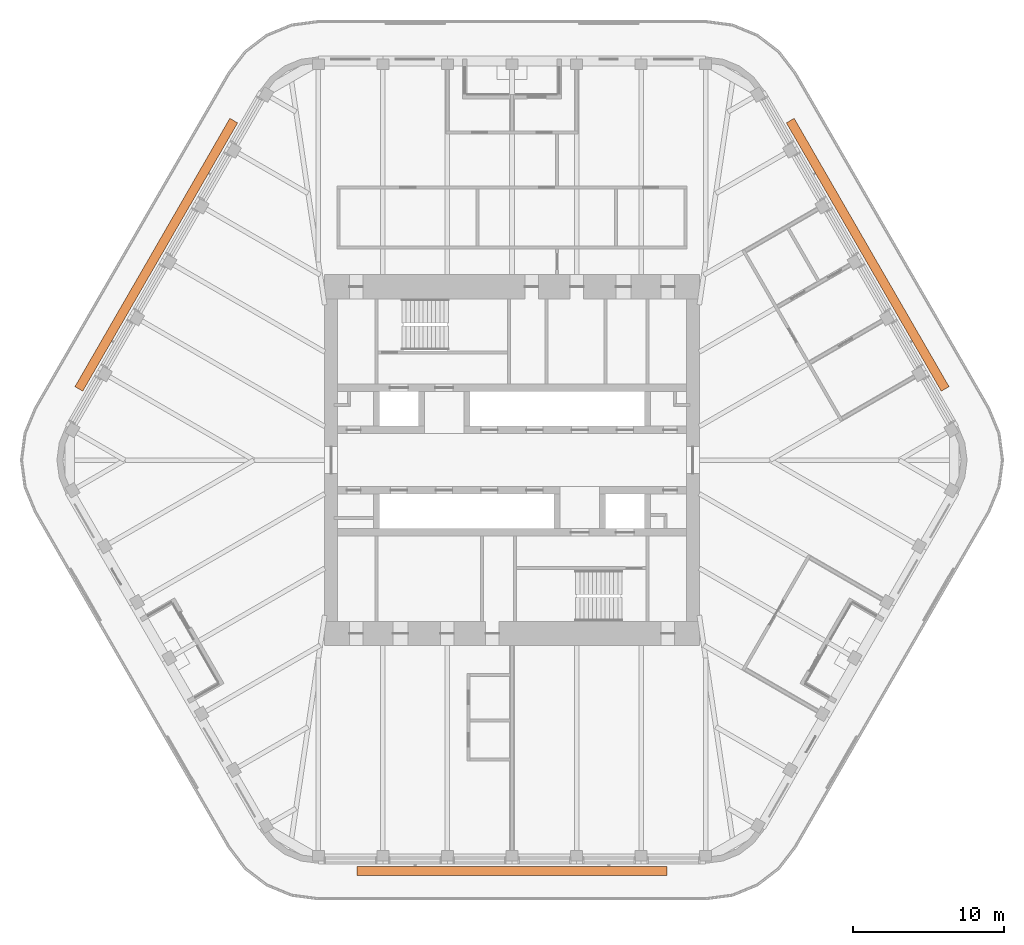
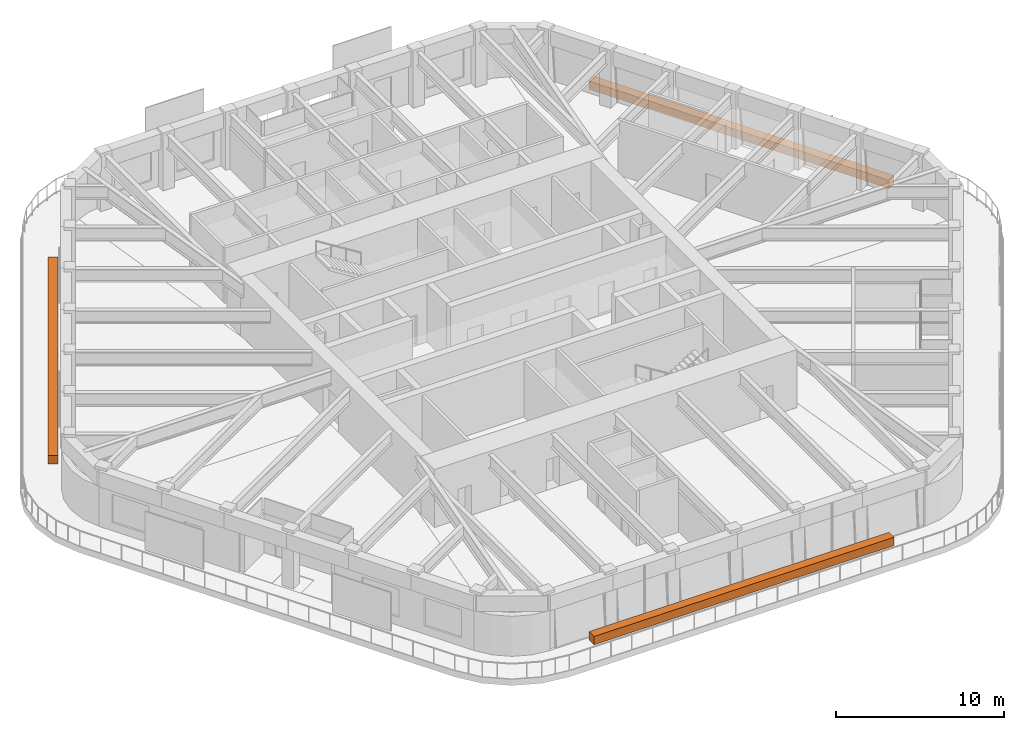
# One storey, part 19 of 19: 3 proxies.
"""IFC4 building model written with IfcOpenShell, lengths in metres."""

from ifc_helpers import new_model, si_unit, direction, frame, origin, origin_2d, place, context, subcontext, project, spatial, rectangle, extrude, material, element, save


model = new_model("IFC4")

# Units and contexts
model_context = context("Model", 3, precision=1e-05, world=origin(), true_north=direction((0.0, 1.0)))
body_context = subcontext(model_context, "Body", "Model", "MODEL_VIEW")
ifc_project = project(units=[si_unit("LENGTHUNIT", "METRE"), si_unit("AREAUNIT", "SQUARE_METRE"), si_unit("VOLUMEUNIT", "CUBIC_METRE"), si_unit("PLANEANGLEUNIT", "RADIAN"), si_unit("MASSUNIT", "GRAM", prefix="KILO")], contexts=[model_context])

# Site, building, storey
site_placement = place(None, origin())
site = spatial("IfcSite", under=ifc_project, at=site_placement, CompositionType="ELEMENT")
building_placement = place(site_placement, origin())
building = spatial("IfcBuilding", under=site, at=building_placement, Name="Tarfa Lantern Tower", CompositionType="ELEMENT")
storey_placement = place(building_placement, frame((0.0, 0.0, 374.5)))
storey = spatial("IfcBuildingStorey", under=building, at=storey_placement, Name="L85", CompositionType="ELEMENT", Elevation=374.5)

# Proxies
ifc_material = material(Name="Planting bed")
for number, where, z_axis, x_axis, name in (
    (1, (23.59912109375, 13.625, 0.0), (0.0, 0.0, 1.0), (-0.5, 0.866025403784, 0.0), "Balcony planter"),
    (2, (-23.59912109375, 13.625, 0.0), (0.0, 0.0, 1.0), (-0.5, -0.866025403784, 0.0), "Balcony planter"),
    (3, (0.0, -27.25, 0.0), (0.0, 0.0, 1.0), (1.0, 0.0, 0.0), "Balcony planter"),
):
    element("IfcBuildingElementProxy", number, at=place(storey_placement, frame(where, z_axis=z_axis, x_axis=x_axis)), inside=storey, material=ifc_material, Name=name, ObjectType="PLANTER", PredefinedType="USERDEFINED", context=body_context, shape_type="SweptSolid", body=[
        extrude(rectangle(XDim=20.5537109375, YDim=0.60009765625, at=origin_2d()), origin(), (0.0, 0.0, 1.0), 0.60009765625),
    ])

save(model, "model.ifc")
